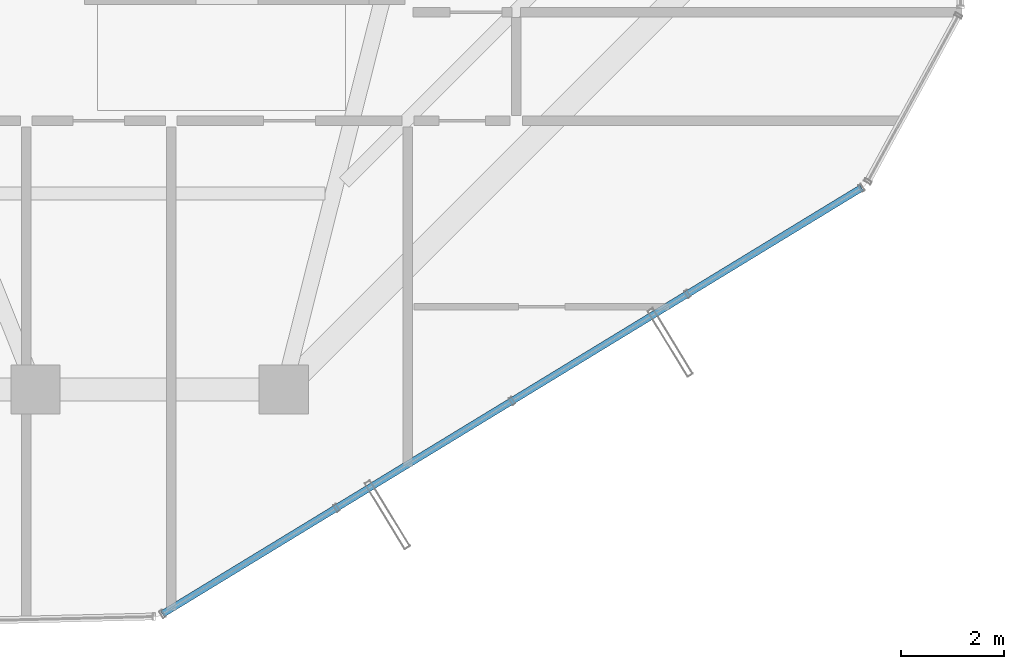
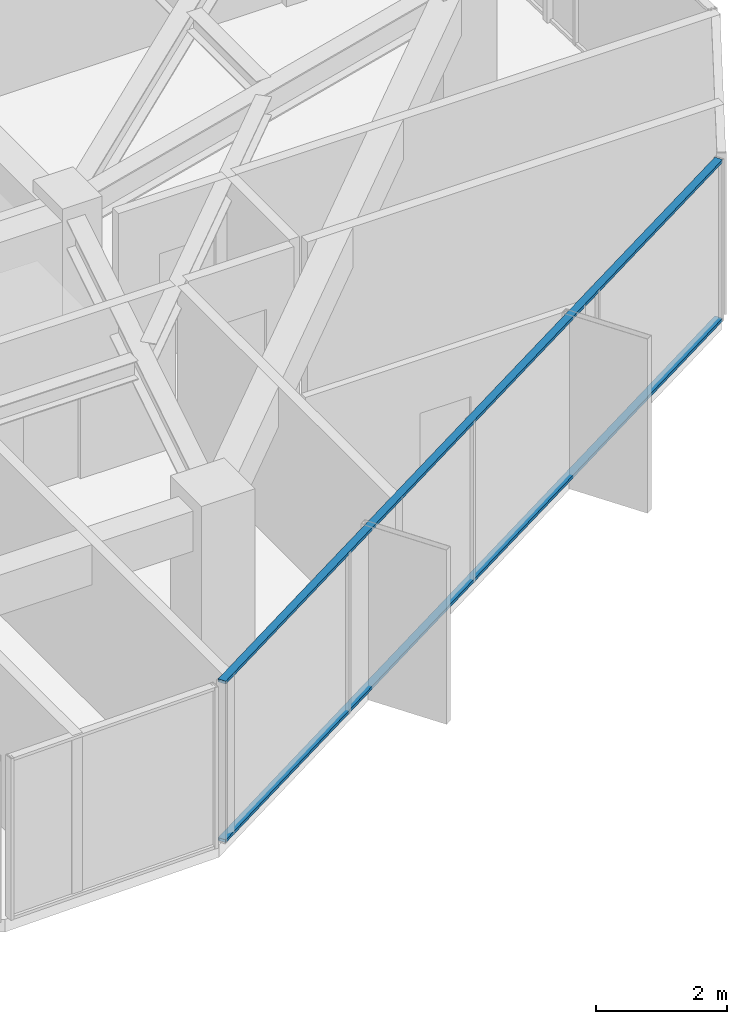
# One storey, part 9 of 32: 2 members, 1 element without a shape of its own.
"""IFC4 building model written with IfcOpenShell, lengths in metres."""

from ifc_helpers import new_model, si_unit, direction, frame, origin, origin_2d, place, context, subcontext, project, spatial, hollow_rectangle, extrude, source, transform, mapped, material, layer, layer_set, material_profile, profile_set, type_object, element, aggregate, save


model = new_model("IFC4")

# Units and contexts
model_context = context("Model", 3, precision=1e-05, world=origin(), true_north=direction((0.0, 1.0)))
body_context = subcontext(model_context, "Body", "Model", "MODEL_VIEW")
ifc_project = project(units=[si_unit("LENGTHUNIT", "METRE"), si_unit("AREAUNIT", "SQUARE_METRE"), si_unit("VOLUMEUNIT", "CUBIC_METRE"), si_unit("PLANEANGLEUNIT", "RADIAN"), si_unit("MASSUNIT", "GRAM", prefix="KILO")], contexts=[model_context])

# Site, building, storey
site_placement = place(None, origin())
site = spatial("IfcSite", under=ifc_project, at=site_placement, CompositionType="ELEMENT")
building_placement = place(site_placement, origin())
building = spatial("IfcBuilding", under=site, at=building_placement, Name="Veraguas Prism Commons", CompositionType="ELEMENT")
storey_placement = place(building_placement, frame((0.0, 0.0, 201.60009765625)))
storey = spatial("IfcBuildingStorey", under=building, at=storey_placement, Name="L57", CompositionType="ELEMENT", Elevation=201.60009765625)

# Curtain wall, members
ifc_material = material(Name="Anodised aluminium EN AW-6063 T6", Category="aluminium")
ifc_layer = layer(ifc_material, 0.14990234375, Name="Unitised Flush Curtain Wall Zone 3", Category="aluminium")
ifc_layer_set = layer_set([ifc_layer], Name="Anodised aluminium EN AW-6063 T6")
curtain_wall_type = type_object("IfcCurtainWallType", Name="Unitised Flush Curtain Wall Zone 3", PredefinedType="NOTDEFINED", material=ifc_layer_set)
curtain_wall_placement = place(storey_placement, origin())
curtain_wall = element("IfcCurtainWall", 1, at=curtain_wall_placement, inside=storey, type_object=curtain_wall_type, Name="Tower Facade Curtain Wall L57-F5", PredefinedType="NOTDEFINED")
ifc_material_profile = material_profile(ifc_material, hollow_rectangle(XDim=0.054931640625, YDim=0.135009765625, WallThickness=0.0029296875, at=origin_2d()), Name="AL55X135X3")
ifc_profile_set = profile_set([ifc_material_profile], Name="Anodised aluminium EN AW-6063 T6")
member_type = type_object("IfcMemberType", Name="Curtain Wall Transom Standard AL 55x135x3", PredefinedType="USERDEFINED", material=ifc_profile_set)
shared_shape = source(origin(), body_context, "Body", "SweptSolid", [
    extrude(hollow_rectangle(XDim=0.054931640625, YDim=0.135009765625, WallThickness=0.0029296875, at=origin_2d()), origin(), (0.0, 0.0, 1.0), 15.842529296875),
])
member_1_placement = place(storey_placement, frame((26.45263671875, 4.754638671875, 0.02734375), z_axis=(0.853913938387, 0.520414244452, 0.0), x_axis=(0.0, 0.0, 1.0)))
member_1 = element("IfcMember", 2, at=member_1_placement, type_object=member_type, Name="CW-Z3 Transom 1", ObjectType="TRANSOM", PredefinedType="USERDEFINED", context=body_context, shape_type="MappedRepresentation", body=[
    mapped(shared_shape, transform((0.0, 0.0, 0.0), scale=1.0)),
])
member_2_placement = place(storey_placement, frame((26.45263671875, 4.754638671875, 2.9873046875), z_axis=(0.853913938387, 0.520414244452, 0.0), x_axis=(0.0, 0.0, 1.0)))
member_2 = element("IfcMember", 3, at=member_2_placement, type_object=member_type, Name="CW-Z3 Transom 2", ObjectType="TRANSOM", PredefinedType="USERDEFINED", context=body_context, shape_type="MappedRepresentation", body=[
    mapped(shared_shape, transform((0.0, 0.0, 0.0), scale=1.0)),
])
aggregate(curtain_wall, [member_1, member_2])

save(model, "model.ifc")
